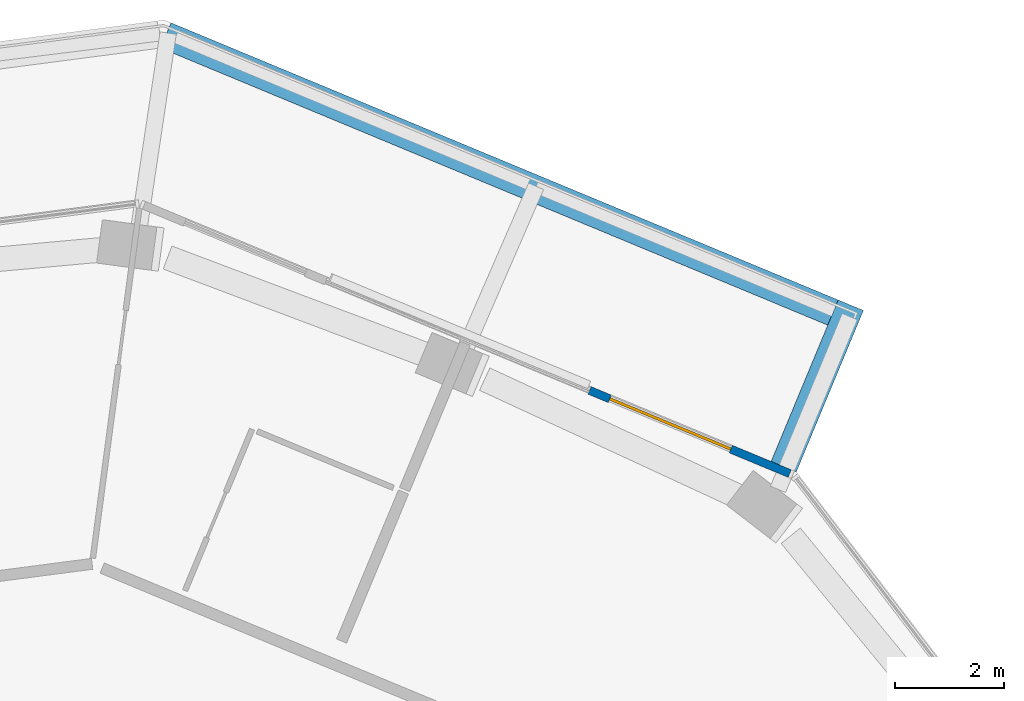
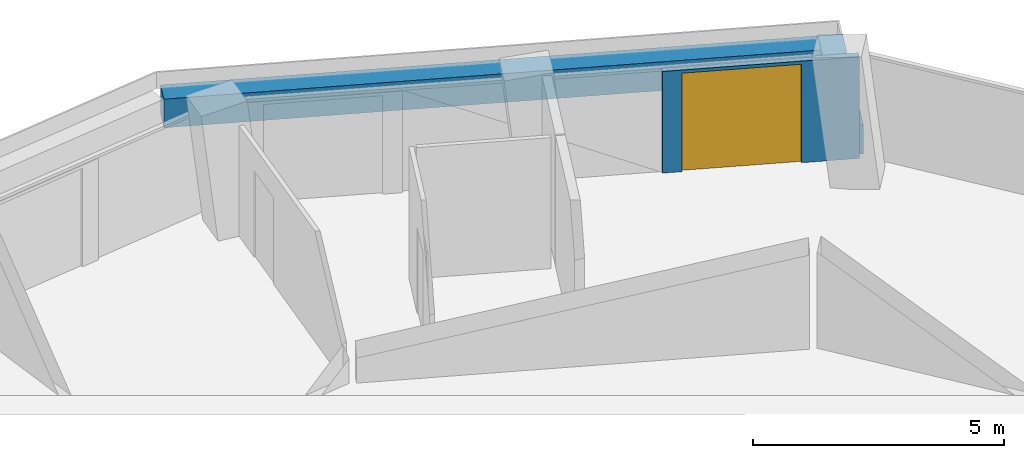
# One storey, part 22 of 25: 3 walls, 1 door, 1 opening.
"""IFC4 building model written with IfcOpenShell, lengths in metres."""

from ifc_helpers import new_model, si_unit, direction, frame, frame_2d, origin, place, context, subcontext, project, spatial, rectangle, extrude, material, layer, layer_set, type_object, element, fill, save


model = new_model("IFC4")

# Units and contexts
model_context = context("Model", 3, precision=1e-05, world=origin(), true_north=direction((0.0, 1.0)))
body_context = subcontext(model_context, "Body", "Model", "MODEL_VIEW")
ifc_project = project(units=[si_unit("LENGTHUNIT", "METRE"), si_unit("AREAUNIT", "SQUARE_METRE"), si_unit("VOLUMEUNIT", "CUBIC_METRE"), si_unit("PLANEANGLEUNIT", "RADIAN"), si_unit("MASSUNIT", "GRAM", prefix="KILO")], contexts=[model_context])

# Site, building, storey
site_placement = place(None, origin())
site = spatial("IfcSite", under=ifc_project, at=site_placement, CompositionType="ELEMENT")
building_placement = place(site_placement, origin())
building = spatial("IfcBuilding", under=site, at=building_placement, Name="Verdalira Terraces Hotel", CompositionType="ELEMENT")
storey_placement = place(building_placement, frame((0.0, 0.0, 187.0)))
storey = spatial("IfcBuildingStorey", under=building, at=storey_placement, Name="L45", CompositionType="ELEMENT", Elevation=187.0)

# Walls
ifc_material_1 = material(Name="Concrete C40", Category="concrete")
ifc_layer_1 = layer(ifc_material_1, 0.5)
ifc_layer_set_1 = layer_set([ifc_layer_1], Name="Balcony planter trough with tree")
wall_type_1 = type_object("IfcWallType", Name="Balcony planter trough with tree", PredefinedType="SOLIDWALL", material=ifc_layer_set_1)
wall_1_placement = place(storey_placement, frame((15.078857, 20.005127, 0.0), z_axis=(0.0, 0.0, 1.0), x_axis=(0.383634365, 0.92348507, 0.0)))
element("IfcWall", 1, at=wall_1_placement, inside=storey, type_object=wall_type_1, Name="Balcony planter", PredefinedType="SOLIDWALL", context=body_context, shape_type="SweptSolid", body=[
    extrude(rectangle(XDim=3.199219, YDim=0.5, at=frame_2d((1.599609, 0.0))), origin(), (0.0, 0.0, 1.0), 0.699951),
])
wall_2_placement = place(storey_placement, frame((15.979248, 22.824463, 0.0), z_axis=(0.0, 0.0, 1.0), x_axis=(-0.923475181, 0.383658168, 0.0)))
element("IfcWall", 2, at=wall_2_placement, inside=storey, type_object=wall_type_1, Name="Balcony planter", PredefinedType="SOLIDWALL", context=body_context, shape_type="SweptSolid", body=[
    extrude(rectangle(XDim=13.223389, YDim=0.5, at=frame_2d((6.611816, 0.0))), origin(), (0.0, 0.0, 1.0), 0.699951),
])

# Wall, opening, door
ifc_material_2 = material(Name="Terracotta cladding", Category="masonry")
ifc_layer_2 = layer(ifc_material_2, 0.14990234375)
ifc_layer_set_2 = layer_set([ifc_layer_2], Name="Terracotta door pier 150")
wall_type_2 = type_object("IfcWallType", Name="Terracotta door pier 150", PredefinedType="SOLIDWALL", material=ifc_layer_set_2)
wall_3_placement = place(storey_placement, frame((15.187988, 19.877441, 0.0), z_axis=(0.0, 0.0, 1.0), x_axis=(-0.923480616, 0.383645086, 0.0)))
wall_3 = element("IfcWall", 3, at=wall_3_placement, inside=storey, type_object=wall_type_2, Name="Terracotta door pier", PredefinedType="SOLIDWALL", context=body_context, shape_type="SweptSolid", body=[
    extrude(rectangle(XDim=3.967041, YDim=0.149902, at=frame_2d((1.983398, 0.0))), origin(), (0.0, 0.0, 1.0), 2.475098),
])
opening_placement = place(wall_3_placement, frame((1.167236, 0.0, 0.0)))
opening = element("IfcOpeningElement", 4, at=opening_placement, cuts=wall_3, Name="Opening L45-B11", PredefinedType="OPENING", context=body_context, shape_type="SweptSolid", body=[
    extrude(rectangle(XDim=2.399902, YDim=2.399902, at=frame_2d((1.199951, 1.199951))), frame((0.0, 0.084961, 0.0), z_axis=(0.0, -1.0, 0.0), x_axis=(1.0, 0.0, 0.0)), (0.0, 0.0, 1.0), 0.169922),
])
ifc_material_3 = material(Name="Clear glass", Category="glass")
door_type = type_object("IfcDoorType", Name="Balcony sliding door 2400x2400", OperationType="NOTDEFINED", PredefinedType="DOOR", material=ifc_material_3)
door_placement = place(opening_placement, origin())
door = element("IfcDoor", 5, at=door_placement, inside=storey, type_object=door_type, Name="Balcony sliding door", OperationType="SLIDING_TO_LEFT", OverallHeight=2.39990234375, OverallWidth=2.39990234375, PredefinedType="DOOR", context=body_context, shape_type="SweptSolid", body=[
    extrude(rectangle(XDim=2.399902, YDim=2.399902, at=frame_2d((1.199951, 1.199951))), frame((0.0, 0.024902, 0.0), z_axis=(0.0, -1.0, 0.0), x_axis=(1.0, 0.0, 0.0)), (0.0, 0.0, 1.0), 0.050049),
])
fill(opening, door)

save(model, "model.ifc")
